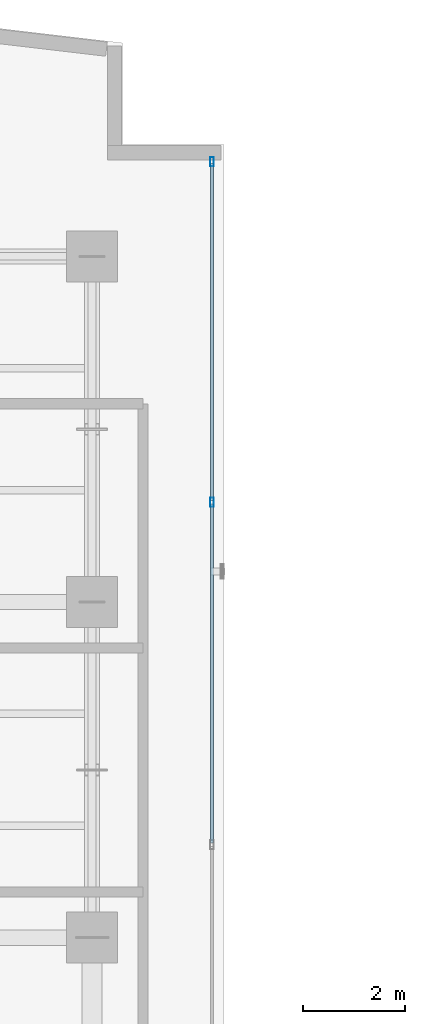
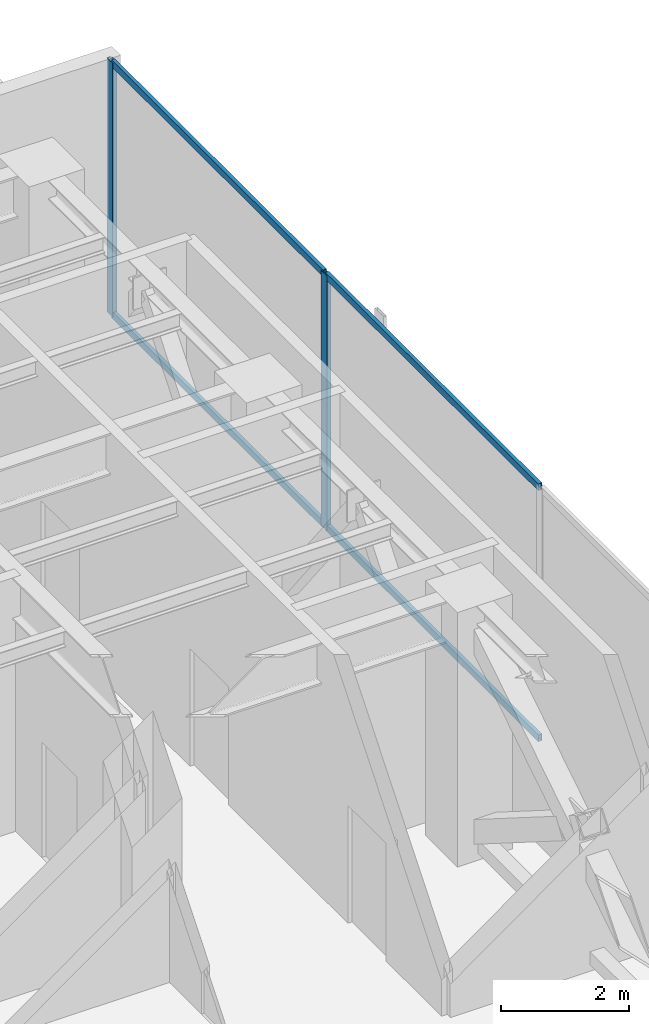
# One storey, part 22 of 31: 6 members, 1 element without a shape of its own.
"""IFC4 building model written with IfcOpenShell, lengths in metres."""

from ifc_helpers import new_model, si_unit, direction, frame, origin, origin_with_axes, origin_2d, place, context, subcontext, project, spatial, hollow_rectangle, extrude, source, transform, mapped, material, layer, layer_set, material_profile, profile_set, type_object, element, aggregate, save


model = new_model("IFC4")

# Units and contexts
model_context = context("Model", 3, precision=1e-05, world=origin(), true_north=direction((0.0, 1.0)))
body_context = subcontext(model_context, "Body", "Model", "MODEL_VIEW")
ifc_project = project(units=[si_unit("LENGTHUNIT", "METRE"), si_unit("AREAUNIT", "SQUARE_METRE"), si_unit("VOLUMEUNIT", "CUBIC_METRE"), si_unit("PLANEANGLEUNIT", "RADIAN"), si_unit("MASSUNIT", "GRAM", prefix="KILO")], contexts=[model_context])

# Site, building, storey
site_placement = place(None, origin())
site = spatial("IfcSite", under=ifc_project, at=site_placement, CompositionType="ELEMENT")
building_placement = place(site_placement, origin())
building = spatial("IfcBuilding", under=site, at=building_placement, Name="Kolvaren Waterfront Exchange", CompositionType="ELEMENT")
storey_placement = place(building_placement, frame((0.0, 0.0, 257.699951171875)))
storey = spatial("IfcBuildingStorey", under=building, at=storey_placement, Name="L66", CompositionType="ELEMENT", Elevation=257.699951171875)

# Curtain wall, members
ifc_material_1 = material(Name="Anodised dark bronze spandrel aluminium", Category="aluminium")
ifc_layer = layer(ifc_material_1, 0.219970703125, Name="Anodised dark bronze spandrel aluminium")
ifc_layer_set = layer_set([ifc_layer], Name="Anodised dark bronze spandrel aluminium")
curtain_wall_type = type_object("IfcCurtainWallType", Name="ARC-CW-SYS6", PredefinedType="USERDEFINED", material=ifc_layer_set)
curtain_wall_placement = place(storey_placement, origin())
curtain_wall = element("IfcCurtainWall", 1, at=curtain_wall_placement, inside=storey, type_object=curtain_wall_type, Name="L66 stick curtain wall CW6 (CW-L66-NE)", ObjectType="STICK CURTAIN WALL", PredefinedType="USERDEFINED")
ifc_material_2 = material(Name="Anodised bronze aluminium 6063-T6", Category="aluminium")
ifc_material_profile_1 = material_profile(ifc_material_2, hollow_rectangle(XDim=0.074951171875, YDim=0.179931640625, WallThickness=0.00439453125, at=origin_2d()), Name="ALU-MUL-180x75x4.5")
ifc_profile_set_1 = profile_set([ifc_material_profile_1], Name="Anodised bronze aluminium 6063-T6")
member_type_1 = type_object("IfcMemberType", Name="ARC-CWM-180", PredefinedType="MULLION", material=ifc_profile_set_1)
shared_shape_1 = source(origin_with_axes(), body_context, "Body", "SweptSolid", [
    extrude(hollow_rectangle(XDim=0.074951171875, YDim=0.179931640625, WallThickness=0.00439453125, at=origin_2d()), origin(), (0.0, 0.0, 1.0), 4.860107421875),
])
member_1_placement = place(storey_placement, frame((21.159912109375, 39.763427734375, 0.0), z_axis=(0.0, 0.0, 1.0), x_axis=(-1.0, 0.0, 0.0)))
member_1 = element("IfcMember", 2, at=member_1_placement, type_object=member_type_1, Name="CW6 mullion 3", PredefinedType="MULLION", context=body_context, shape_type="MappedRepresentation", body=[
    mapped(shared_shape_1, transform((0.0, 0.0, 0.0), x_axis=(1.0, 0.0, 0.0), y_axis=(0.0, 1.0, 0.0), z_axis=(0.0, 0.0, 1.0), scale=1.0)),
])
member_2_placement = place(storey_placement, frame((21.159912109375, 46.46240234375, 0.0), z_axis=(0.0, 0.0, 1.0), x_axis=(-1.0, 0.0, 0.0)))
member_2 = element("IfcMember", 3, at=member_2_placement, type_object=member_type_1, Name="CW6 mullion 4", PredefinedType="MULLION", context=body_context, shape_type="MappedRepresentation", body=[
    mapped(shared_shape_1, transform((0.0, 0.0, 0.0), x_axis=(1.0, 0.0, 0.0), y_axis=(0.0, 1.0, 0.0), z_axis=(0.0, 0.0, 1.0), scale=1.0)),
])
ifc_material_profile_2 = material_profile(ifc_material_2, hollow_rectangle(XDim=0.06494140625, YDim=0.1298828125, WallThickness=0.00390625, at=origin_2d()), Name="ALU-TRN-130x65x4")
ifc_profile_set_2 = profile_set([ifc_material_profile_2], Name="Anodised bronze aluminium 6063-T6")
member_type_2 = type_object("IfcMemberType", Name="ARC-CWT-130", PredefinedType="USERDEFINED", material=ifc_profile_set_2)
shared_shape_2 = source(origin_with_axes(), body_context, "Body", "SweptSolid", [
    extrude(hollow_rectangle(XDim=0.06494140625, YDim=0.1298828125, WallThickness=0.00390625, at=origin_2d()), origin(), (0.0, 0.0, 1.0), 6.624267578125),
])
member_3_placement = place(storey_placement, frame((21.159912109375, 39.80078125, 0.032470703125), z_axis=(0.0, 1.0, 0.0), x_axis=(-1.0, 0.0, 0.0)))
member_3 = element("IfcMember", 4, at=member_3_placement, type_object=member_type_2, Name="CW6 transom 3.1", ObjectType="TRANSOM", PredefinedType="USERDEFINED", context=body_context, shape_type="MappedRepresentation", body=[
    mapped(shared_shape_2, transform((0.0, 0.0, 0.0), x_axis=(1.0, 0.0, 0.0), y_axis=(0.0, 1.0, 0.0), z_axis=(0.0, 0.0, 1.0), scale=1.0)),
])
member_4_placement = place(storey_placement, frame((21.159912109375, 39.80078125, 4.82763671875), z_axis=(0.0, 1.0, 0.0), x_axis=(-1.0, 0.0, 0.0)))
member_4 = element("IfcMember", 5, at=member_4_placement, type_object=member_type_2, Name="CW6 transom 3.2", ObjectType="TRANSOM", PredefinedType="USERDEFINED", context=body_context, shape_type="MappedRepresentation", body=[
    mapped(shared_shape_2, transform((0.0, 0.0, 0.0), x_axis=(1.0, 0.0, 0.0), y_axis=(0.0, 1.0, 0.0), z_axis=(0.0, 0.0, 1.0), scale=1.0)),
])
shared_shape_3 = source(origin_with_axes(), body_context, "Body", "SweptSolid", [
    extrude(hollow_rectangle(XDim=0.06494140625, YDim=0.1298828125, WallThickness=0.00390625, at=origin_2d()), origin(), (0.0, 0.0, 1.0), 6.66162109375),
])
member_5_placement = place(storey_placement, frame((21.159912109375, 33.064208984375, 0.032470703125), z_axis=(0.0, 1.0, 0.0), x_axis=(-1.0, 0.0, 0.0)))
member_5 = element("IfcMember", 6, at=member_5_placement, type_object=member_type_2, Name="CW6 transom 2.1", ObjectType="TRANSOM", PredefinedType="USERDEFINED", context=body_context, shape_type="MappedRepresentation", body=[
    mapped(shared_shape_3, transform((0.0, 0.0, 0.0), x_axis=(1.0, 0.0, 0.0), y_axis=(0.0, 1.0, 0.0), z_axis=(0.0, 0.0, 1.0), scale=1.0)),
])
member_6_placement = place(storey_placement, frame((21.159912109375, 33.064208984375, 4.82763671875), z_axis=(0.0, 1.0, 0.0), x_axis=(-1.0, 0.0, 0.0)))
member_6 = element("IfcMember", 7, at=member_6_placement, type_object=member_type_2, Name="CW6 transom 2.2", ObjectType="TRANSOM", PredefinedType="USERDEFINED", context=body_context, shape_type="MappedRepresentation", body=[
    mapped(shared_shape_3, transform((0.0, 0.0, 0.0), x_axis=(1.0, 0.0, 0.0), y_axis=(0.0, 1.0, 0.0), z_axis=(0.0, 0.0, 1.0), scale=1.0)),
])
aggregate(curtain_wall, [member_1, member_2, member_5, member_6, member_3, member_4])

save(model, "model.ifc")
